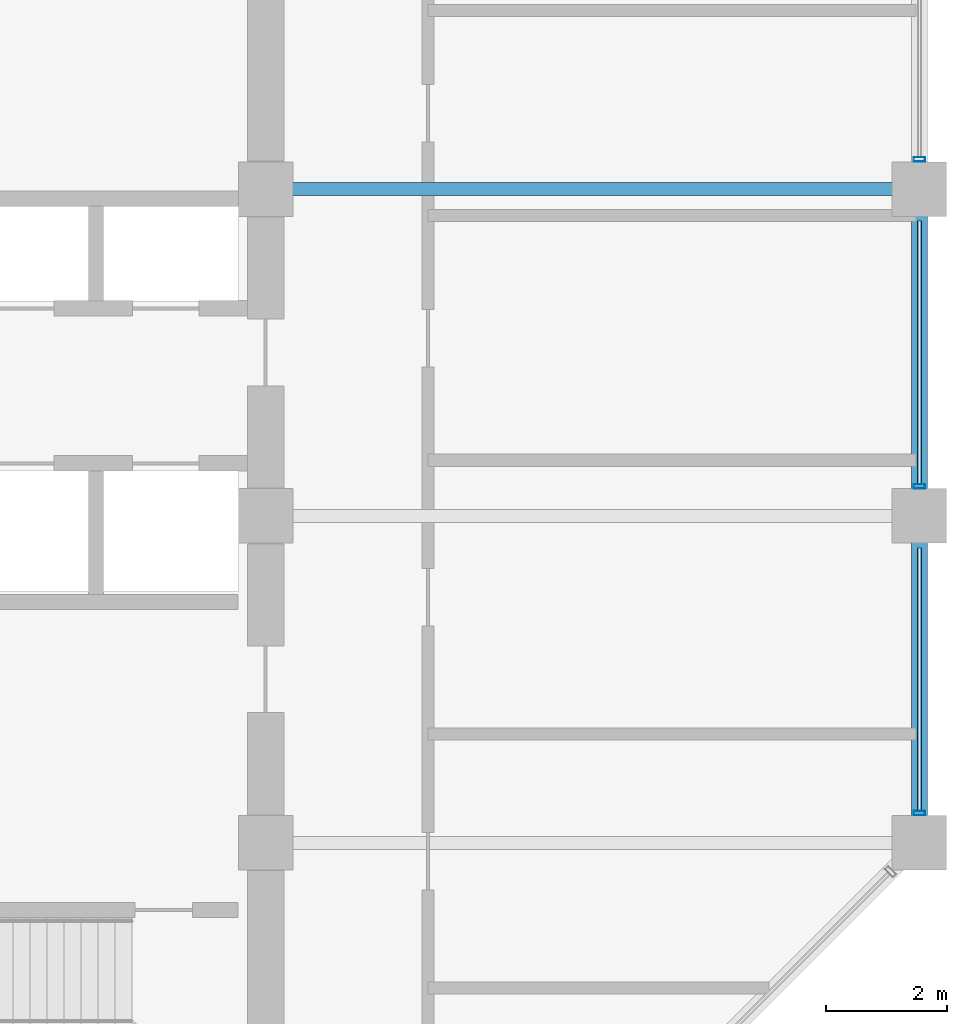
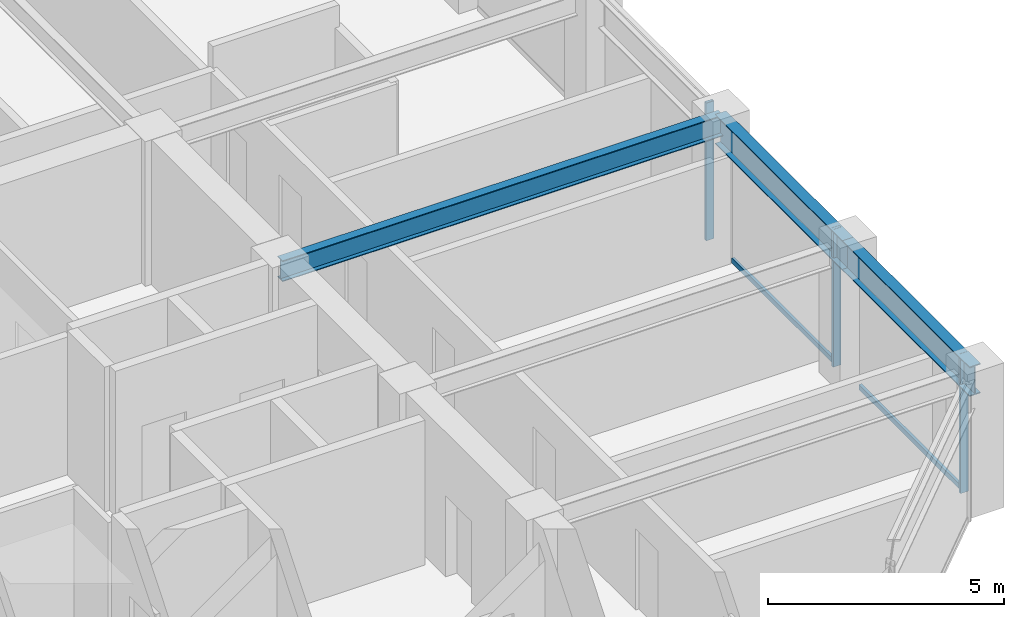
# One storey, part 14 of 32: 5 members, 3 beams, 1 element without a shape of its own.
"""IFC4 building model written with IfcOpenShell, lengths in metres."""

from ifc_helpers import new_model, si_unit, direction, frame, origin, origin_2d, place, context, subcontext, project, spatial, hollow_rectangle, i_section, extrude, material, layer, layer_set, material_profile, profile_set, type_object, element, aggregate, save


model = new_model("IFC4")

# Units and contexts
model_context = context("Model", 3, precision=1e-05, world=origin(), true_north=direction((0.0, 1.0)))
body_context = subcontext(model_context, "Body", "Model", "MODEL_VIEW")
ifc_project = project(units=[si_unit("LENGTHUNIT", "METRE"), si_unit("AREAUNIT", "SQUARE_METRE"), si_unit("VOLUMEUNIT", "CUBIC_METRE"), si_unit("PLANEANGLEUNIT", "RADIAN"), si_unit("MASSUNIT", "GRAM", prefix="KILO")], contexts=[model_context])

# Site, building, storey
site_placement = place(None, origin())
site = spatial("IfcSite", under=ifc_project, at=site_placement, CompositionType="ELEMENT")
building_placement = place(site_placement, origin())
building = spatial("IfcBuilding", under=site, at=building_placement, Name="Surkhivell Harbour Commons", CompositionType="ELEMENT")
storey_placement = place(building_placement, frame((0.0, 0.0, 208.5)))
storey = spatial("IfcBuildingStorey", under=building, at=storey_placement, Name="L54", CompositionType="ELEMENT", Elevation=208.5)

# Beams
ifc_material_1 = material(Name="Steel S355", Category="steel")
ifc_material_profile_1 = material_profile(ifc_material_1, i_section(OverallWidth=0.2119140625, OverallDepth=0.5439453125, WebThickness=0.0126953125, FlangeThickness=0.021240234375, at=origin_2d()), Name="UB533x210x122")
ifc_profile_set_1 = profile_set([ifc_material_profile_1], Name="Steel S355")
beam_type_1 = type_object("IfcBeamType", Name="BM-GRD-533A", PredefinedType="BEAM", material=ifc_profile_set_1)
beam_placement = place(storey_placement, frame((10.800048828125, 5.39990234375, 3.298095703125), z_axis=(1.0, 0.0, 0.0), x_axis=(0.0, 1.0, 0.0)))
element("IfcBeam", 1, at=beam_placement, inside=storey, type_object=beam_type_1, Name="L54 Floor Girder (10.8,5.4)", PredefinedType="BEAM", context=body_context, shape_type="SweptSolid", body=[
    extrude(i_section(OverallWidth=0.2119140625, OverallDepth=0.5439453125, WebThickness=0.0126953125, FlangeThickness=0.021240234375, at=origin_2d()), origin(), (0.0, 0.0, 1.0), 10.800048828125),
])
ifc_material_profile_2 = material_profile(ifc_material_1, i_section(OverallWidth=0.26806640625, OverallDepth=0.77001953125, WebThickness=0.015625, FlangeThickness=0.025390625, at=origin_2d()), Name="UB762x267x197")
ifc_profile_set_2 = profile_set([ifc_material_profile_2], Name="Steel S355")
beam_type_2 = type_object("IfcBeamType", Name="BM-SPN-762", PredefinedType="SPANDREL", material=ifc_profile_set_2)
for number, where, z_axis, x_axis, name in (
    (2, (21.60009765625, -5.39990234375, 3.18505859375), (0.0, 1.0, 0.0), (-1.0, 0.0, 0.0), "L54 Tube Spandrel (21.6,-5.4)"),
    (3, (21.60009765625, 0.0, 3.18505859375), (0.0, 1.0, 0.0), (-1.0, 0.0, 0.0), "L54 Tube Spandrel (21.6,0.0)"),
):
    element("IfcBeam", number, at=place(storey_placement, frame(where, z_axis=z_axis, x_axis=x_axis)), inside=storey, type_object=beam_type_2, Name=name, PredefinedType="SPANDREL", context=body_context, shape_type="SweptSolid", body=[
        extrude(i_section(OverallWidth=0.26806640625, OverallDepth=0.77001953125, WebThickness=0.015625, FlangeThickness=0.025390625, at=origin_2d()), origin(), (0.0, 0.0, 1.0), 5.39990234375),
    ])

# Curtain wall, members
ifc_material_2 = material(Name="Anodised pale-metal aluminium and insulated glazing", Category="aluminium")
ifc_layer = layer(ifc_material_2, 0.18994140625)
ifc_layer_set = layer_set([ifc_layer], Name="Anodised pale-metal aluminium and insulated glazing")
curtain_wall_type = type_object("IfcCurtainWallType", Name="CW-SYS-Z3", PredefinedType="NOTDEFINED", material=ifc_layer_set)
curtain_wall_placement = place(storey_placement, origin())
curtain_wall = element("IfcCurtainWall", 4, at=curtain_wall_placement, inside=storey, type_object=curtain_wall_type, Name="L54 Curtain Wall CW-L54-E02", PredefinedType="NOTDEFINED")
ifc_material_3 = material(Name="Anodised pale-metal aluminium alloy 6063-T6", Category="aluminium")
ifc_material_profile_3 = material_profile(ifc_material_3, hollow_rectangle(XDim=0.074951171875, YDim=0.18994140625, WallThickness=0.00390625, at=origin_2d()), Name="ALU-MULL-75x190")
ifc_profile_set_3 = profile_set([ifc_material_profile_3], Name="Anodised pale-metal aluminium alloy 6063-T6")
member_type_1 = type_object("IfcMemberType", Name="CWM-190", PredefinedType="MULLION", material=ifc_profile_set_3)
member_1_placement = place(storey_placement, frame((21.60009765625, -4.910400390625, 0.0), z_axis=(0.0, 0.0, 1.0), x_axis=(0.0, 1.0, 0.0)))
member_1 = element("IfcMember", 5, at=member_1_placement, type_object=member_type_1, Name="CW-Z3 mullion 1", PredefinedType="MULLION", context=body_context, shape_type="SweptSolid", body=[
    extrude(hollow_rectangle(XDim=0.074951171875, YDim=0.18994140625, WallThickness=0.00390625, at=origin_2d()), origin(), (0.0, 0.0, 1.0), 3.570068359375),
])
member_2_placement = place(storey_placement, frame((21.60009765625, 0.489501953125, 0.0), z_axis=(0.0, 0.0, 1.0), x_axis=(0.0, 1.0, 0.0)))
member_2 = element("IfcMember", 6, at=member_2_placement, type_object=member_type_1, Name="CW-Z3 mullion 2", PredefinedType="MULLION", context=body_context, shape_type="SweptSolid", body=[
    extrude(hollow_rectangle(XDim=0.074951171875, YDim=0.18994140625, WallThickness=0.00390625, at=origin_2d()), origin(), (0.0, 0.0, 1.0), 3.570068359375),
])
member_3_placement = place(storey_placement, frame((21.60009765625, 5.889404296875, 0.0), z_axis=(0.0, 0.0, 1.0), x_axis=(0.0, 1.0, 0.0)))
member_3 = element("IfcMember", 7, at=member_3_placement, type_object=member_type_1, Name="CW-Z3 mullion 3", PredefinedType="MULLION", context=body_context, shape_type="SweptSolid", body=[
    extrude(hollow_rectangle(XDim=0.074951171875, YDim=0.18994140625, WallThickness=0.00390625, at=origin_2d()), origin(), (0.0, 0.0, 1.0), 3.570068359375),
])
ifc_material_4 = material(Name="Champagne anodised aluminium alloy 6063-T6", Category="aluminium")
ifc_material_profile_4 = material_profile(ifc_material_4, hollow_rectangle(XDim=0.070068359375, YDim=0.1298828125, WallThickness=0.00341796875, at=origin_2d()), Name="ALU-TRAN-70x130")
ifc_profile_set_4 = profile_set([ifc_material_profile_4], Name="Champagne anodised aluminium alloy 6063-T6")
member_type_2 = type_object("IfcMemberType", Name="CWT-130", PredefinedType="USERDEFINED", material=ifc_profile_set_4)
member_4_placement = place(storey_placement, frame((21.60009765625, -4.873046875, 0.06494140625), z_axis=(0.0, 1.0, 0.0), x_axis=(-1.0, 0.0, 0.0)))
member_4 = element("IfcMember", 8, at=member_4_placement, type_object=member_type_2, Name="CW-Z3 transom 1.1", ObjectType="TRANSOM", PredefinedType="USERDEFINED", context=body_context, shape_type="SweptSolid", body=[
    extrude(hollow_rectangle(XDim=0.070068359375, YDim=0.1298828125, WallThickness=0.00341796875, at=origin_2d()), origin(), (0.0, 0.0, 1.0), 4.345947265625),
])
member_5_placement = place(storey_placement, frame((21.60009765625, 0.527099609375, 0.06494140625), z_axis=(0.0, 1.0, 0.0), x_axis=(-1.0, 0.0, 0.0)))
member_5 = element("IfcMember", 9, at=member_5_placement, type_object=member_type_2, Name="CW-Z3 transom 2.1", ObjectType="TRANSOM", PredefinedType="USERDEFINED", context=body_context, shape_type="SweptSolid", body=[
    extrude(hollow_rectangle(XDim=0.070068359375, YDim=0.1298828125, WallThickness=0.00341796875, at=origin_2d()), origin(), (0.0, 0.0, 1.0), 4.345947265625),
])
aggregate(curtain_wall, [member_1, member_4, member_2, member_5, member_3])

save(model, "model.ifc")
